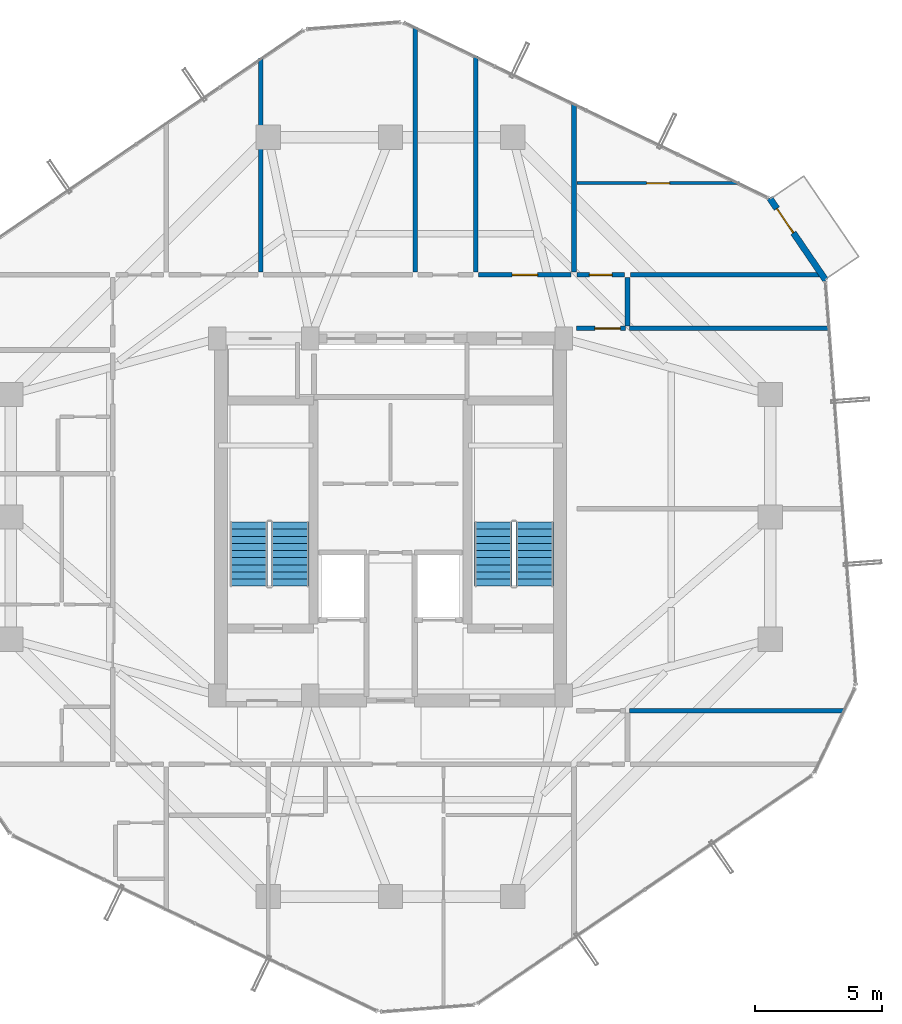
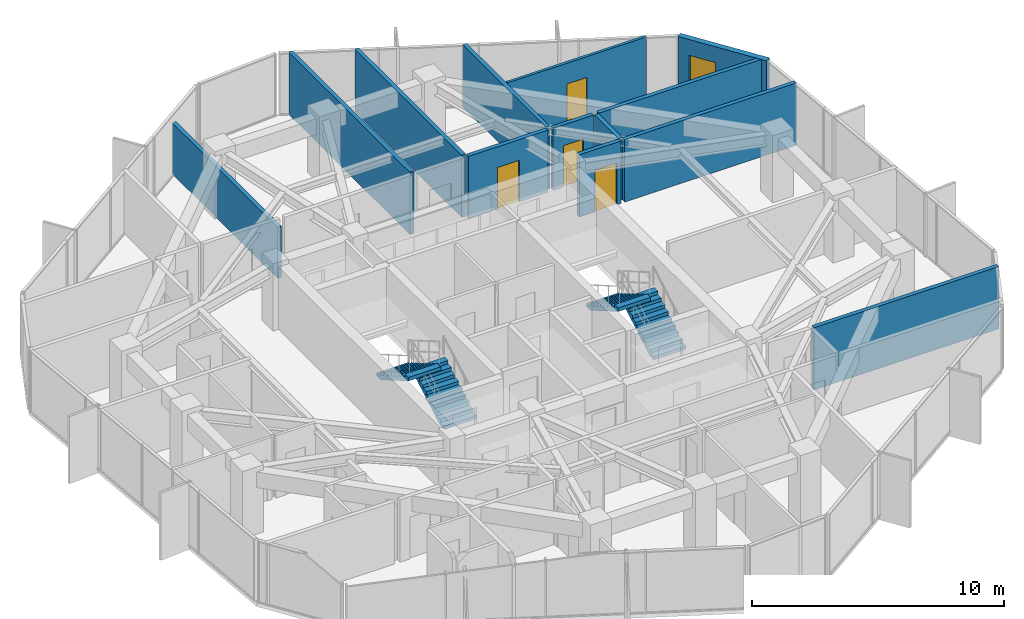
# One storey, part 32 of 34: 13 walls, 5 doors, 4 stair flights, 5 openings, 2 elements without a shape of their own.
"""IFC4 building model written with IfcOpenShell, lengths in metres."""

from ifc_helpers import new_model, si_unit, direction, frame, frame_2d, origin, place, context, subcontext, project, spatial, polyline, rectangle, outline, extrude, source, transform, mapped, material, layer, layer_set, type_object, element, fill, aggregate, save


model = new_model("IFC4")

# Units and contexts
model_context = context("Model", 3, precision=1e-05, world=origin(), true_north=direction((0.0, 1.0)))
body_context = subcontext(model_context, "Body", "Model", "MODEL_VIEW")
ifc_project = project(units=[si_unit("LENGTHUNIT", "METRE"), si_unit("AREAUNIT", "SQUARE_METRE"), si_unit("VOLUMEUNIT", "CUBIC_METRE"), si_unit("PLANEANGLEUNIT", "RADIAN"), si_unit("MASSUNIT", "GRAM", prefix="KILO")], contexts=[model_context])

# Site, building, storey
site_placement = place(None, origin())
site = spatial("IfcSite", under=ifc_project, at=site_placement, CompositionType="ELEMENT")
building_placement = place(site_placement, origin())
building = spatial("IfcBuilding", under=site, at=building_placement, Name="Veraguas Prism Commons", CompositionType="ELEMENT")
storey_placement = place(building_placement, frame((0.0, 0.0, 191.85009765625)))
storey = spatial("IfcBuildingStorey", under=building, at=storey_placement, Name="L54", CompositionType="ELEMENT", Elevation=191.85009765625)

# Walls
ifc_material_1 = material(Name="Autoclaved aerated masonry block 10 MPa", Category="masonry")
ifc_layer_1 = layer(ifc_material_1, 0.179931640625, Name="Corridor and Inter-Tenancy Partition 180", Category="masonry")
ifc_layer_set_1 = layer_set([ifc_layer_1], Name="Autoclaved aerated masonry block 10 MPa")
wall_type_1 = type_object("IfcWallType", Name="Corridor and Inter-Tenancy Partition 180", PredefinedType="PARTITIONING", material=ifc_layer_set_1)
wall_1_placement = place(storey_placement, frame((31.199951171875, 33.6201171875, 0.0), z_axis=(0.0, 0.0, 1.0), x_axis=(0.0, 1.0, 0.0)))
element("IfcWall", 1, at=wall_1_placement, inside=storey, type_object=wall_type_1, Name="WL-L54-PT014", PredefinedType="PARTITIONING", context=body_context, shape_type="SweptSolid", body=[
    extrude(rectangle(XDim=6.6025390625, YDim=0.179931640625, at=frame_2d((3.30126953125, 0.0))), origin(), (0.0, 0.0, 1.0), 3.014892578125),
])
wall_2_placement = place(storey_placement, frame((18.9130859375, 33.6201171875, 0.0), z_axis=(0.0, 0.0, 1.0), x_axis=(0.0, 1.0, 0.0)))
element("IfcWall", 2, at=wall_2_placement, inside=storey, type_object=wall_type_1, Name="WL-L54-PT017", PredefinedType="PARTITIONING", context=body_context, shape_type="SweptSolid", body=[
    extrude(rectangle(XDim=8.384521484375, YDim=0.179931640625, at=frame_2d((4.1923828125, 0.0))), origin(), (0.0, 0.0, 1.0), 2.468994140625),
])
wall_3_placement = place(storey_placement, frame((24.969970703125, 33.6201171875, 0.0), z_axis=(0.0, 0.0, 1.0), x_axis=(0.0, 1.0, 0.0)))
element("IfcWall", 3, at=wall_3_placement, inside=storey, type_object=wall_type_1, Name="WL-L54-PT018", PredefinedType="PARTITIONING", context=body_context, shape_type="SweptSolid", body=[
    extrude(rectangle(XDim=9.600830078125, YDim=0.179931640625, at=frame_2d((4.80029296875, 0.0))), origin(), (0.0, 0.0, 1.0), 3.014892578125),
])

# Wall, opening, door
wall_4_placement = place(storey_placement, frame((27.447021484375, 33.5, 0.0), z_axis=(0.0, 0.0, 1.0), x_axis=(1.0, 0.0, 0.0)))
wall_4 = element("IfcWall", 4, at=wall_4_placement, inside=storey, type_object=wall_type_1, Name="WL-L54-PT020", PredefinedType="PARTITIONING", context=body_context, shape_type="SweptSolid", body=[
    extrude(rectangle(XDim=3.64306640625, YDim=0.179931640625, at=frame_2d((1.821533203125, 0.0))), origin(), (0.0, 0.0, 1.0), 3.014892578125),
])
opening_1_placement = place(wall_4_placement, frame((1.321533203125, 0.0, 0.0)))
opening_1 = element("IfcOpeningElement", 5, at=opening_1_placement, cuts=wall_4, Name="Opening DR-13", PredefinedType="OPENING", context=body_context, shape_type="SweptSolid", body=[
    extrude(rectangle(XDim=1.0, YDim=2.010009765625, at=frame_2d((0.5, 1.0048828125))), frame((0.0, 0.099853515625, 0.0), z_axis=(0.0, -1.0, 0.0), x_axis=(1.0, 0.0, 0.0)), (0.0, 0.0, 1.0), 0.199951171875),
])
ifc_material_2 = material(Name="Steel fire-rated door assembly", Category="steel")
door_type_1 = type_object("IfcDoorType", Name="Core Accessible WC and Clinic Fire Door 1000x2010", OperationType="NOTDEFINED", PredefinedType="DOOR", material=ifc_material_2)
shared_shape_1 = source(origin(), body_context, "Body", "SweptSolid", [
    extrude(rectangle(XDim=1.0, YDim=2.010009765625, at=frame_2d((0.5, 1.0048828125))), frame((0.0, 0.02490234375, 0.0), z_axis=(0.0, -1.0, 0.0), x_axis=(1.0, 0.0, 0.0)), (0.0, 0.0, 1.0), 0.050048828125),
])
door_1_placement = place(opening_1_placement, origin())
door_1 = element("IfcDoor", 6, at=door_1_placement, inside=storey, type_object=door_type_1, Name="Co-op Store N Door", OperationType="SINGLE_SWING_LEFT", OverallHeight=2.010009765625, OverallWidth=1.0, PredefinedType="DOOR", context=body_context, shape_type="MappedRepresentation", body=[
    mapped(shared_shape_1, transform((0.0, 0.0, 0.0), scale=1.0)),
])
fill(opening_1, door_1)

# Walls
wall_5_placement = place(storey_placement, frame((27.3369140625, 33.6201171875, 0.0), z_axis=(0.0, 0.0, 1.0), x_axis=(0.0, 1.0, 0.0)))
element("IfcWall", 7, at=wall_5_placement, inside=storey, type_object=wall_type_1, Name="WL-L54-PT021", PredefinedType="PARTITIONING", context=body_context, shape_type="SweptSolid", body=[
    extrude(rectangle(XDim=8.461669921875, YDim=0.179931640625, at=frame_2d((4.23095703125, 0.0))), origin(), (0.0, 0.0, 1.0), 3.014892578125),
])
wall_6_placement = place(storey_placement, frame((33.300048828125, 31.5, 0.0), z_axis=(0.0, 0.0, 1.0), x_axis=(0.0, 1.0, 0.0)))
element("IfcWall", 8, at=wall_6_placement, inside=storey, type_object=wall_type_1, Name="WL-L54-PT038", PredefinedType="PARTITIONING", context=body_context, shape_type="SweptSolid", body=[
    extrude(rectangle(XDim=1.89990234375, YDim=0.179931640625, at=frame_2d((0.949951171875, 0.0))), origin(), (0.0, 0.0, 1.0), 3.014892578125),
])
wall_7_placement = place(storey_placement, frame((33.3798828125, 16.39990234375, 0.0), z_axis=(0.0, 0.0, 1.0), x_axis=(1.0, 0.0, 0.0)))
element("IfcWall", 9, at=wall_7_placement, inside=storey, type_object=wall_type_1, Name="WL-L54-PT040", PredefinedType="PARTITIONING", context=body_context, shape_type="SweptSolid", body=[
    extrude(rectangle(XDim=8.46240234375, YDim=0.179931640625, at=frame_2d((4.231201171875, 0.0))), origin(), (0.0, 0.0, 1.0), 3.014892578125),
])

# Wall, opening, door
wall_8_placement = place(storey_placement, frame((31.300048828125, 31.39990234375, 0.0), z_axis=(0.0, 0.0, 1.0), x_axis=(1.0, 0.0, 0.0)))
wall_8 = element("IfcWall", 10, at=wall_8_placement, inside=storey, type_object=wall_type_1, Name="WL-L54-PT041", PredefinedType="PARTITIONING", context=body_context, shape_type="SweptSolid", body=[
    extrude(rectangle(XDim=1.919921875, YDim=0.179931640625, at=frame_2d((0.9599609375, 0.0))), origin(), (0.0, 0.0, 1.0), 3.014892578125),
])
opening_2_placement = place(wall_8_placement, frame((0.719970703125, 0.0, 0.0)))
opening_2 = element("IfcOpeningElement", 11, at=opening_2_placement, cuts=wall_8, Name="Opening DR-13", PredefinedType="OPENING", context=body_context, shape_type="SweptSolid", body=[
    extrude(rectangle(XDim=1.0, YDim=2.010009765625, at=frame_2d((0.5, 1.0048828125))), frame((0.0, 0.099853515625, 0.0), z_axis=(0.0, -1.0, 0.0), x_axis=(1.0, 0.0, 0.0)), (0.0, 0.0, 1.0), 0.199951171875),
])
door_2_placement = place(opening_2_placement, origin())
door_2 = element("IfcDoor", 12, at=door_2_placement, inside=storey, type_object=door_type_1, Name="Study Salon Door L54", OperationType="SINGLE_SWING_RIGHT", OverallHeight=2.010009765625, OverallWidth=1.0, PredefinedType="DOOR", context=body_context, shape_type="MappedRepresentation", body=[
    mapped(shared_shape_1, transform((0.0, 0.0, 0.0), scale=1.0)),
])
fill(opening_2, door_2)

# Walls
wall_9_placement = place(storey_placement, frame((33.3798828125, 31.39990234375, 0.0), z_axis=(0.0, 0.0, 1.0), x_axis=(1.0, 0.0, 0.0)))
element("IfcWall", 13, at=wall_9_placement, inside=storey, type_object=wall_type_1, Name="WL-L54-PT042", PredefinedType="PARTITIONING", context=body_context, shape_type="SweptSolid", body=[
    extrude(rectangle(XDim=7.85400390625, YDim=0.179931640625, at=frame_2d((3.927001953125, 0.0))), origin(), (0.0, 0.0, 1.0), 3.014892578125),
])
wall_10_placement = place(storey_placement, frame((33.419921875, 33.5, 0.0), z_axis=(0.0, 0.0, 1.0), x_axis=(1.0, 0.0, 0.0)))
element("IfcWall", 14, at=wall_10_placement, inside=storey, type_object=wall_type_1, Name="WL-L54-PT050", PredefinedType="PARTITIONING", context=body_context, shape_type="SweptSolid", body=[
    extrude(rectangle(XDim=7.551025390625, YDim=0.179931640625, at=frame_2d((3.775390625, 0.0))), origin(), (0.0, 0.0, 1.0), 3.014892578125),
])

# Wall, opening, door
wall_11_placement = place(storey_placement, frame((31.320068359375, 33.5, 0.0), z_axis=(0.0, 0.0, 1.0), x_axis=(1.0, 0.0, 0.0)))
wall_11 = element("IfcWall", 15, at=wall_11_placement, inside=storey, type_object=wall_type_1, Name="WL-L54-PT051", PredefinedType="PARTITIONING", context=body_context, shape_type="SweptSolid", body=[
    extrude(rectangle(XDim=1.85986328125, YDim=0.179931640625, at=frame_2d((0.929931640625, 0.0))), origin(), (0.0, 0.0, 1.0), 3.014892578125),
])
opening_3_placement = place(wall_11_placement, frame((0.47998046875, 0.0, 0.0)))
opening_3 = element("IfcOpeningElement", 16, at=opening_3_placement, cuts=wall_11, Name="Opening DR-14", PredefinedType="OPENING", context=body_context, shape_type="SweptSolid", body=[
    extrude(rectangle(XDim=0.89990234375, YDim=2.010009765625, at=frame_2d((0.449951171875, 1.0048828125))), frame((0.0, 0.099853515625, 0.0), z_axis=(0.0, -1.0, 0.0), x_axis=(1.0, 0.0, 0.0)), (0.0, 0.0, 1.0), 0.199951171875),
])
door_type_2 = type_object("IfcDoorType", Name="Core Service Room Fire Door 900x2010", OperationType="NOTDEFINED", PredefinedType="DOOR", material=ifc_material_2)
shared_shape_2 = source(origin(), body_context, "Body", "SweptSolid", [
    extrude(rectangle(XDim=0.89990234375, YDim=2.010009765625, at=frame_2d((0.449951171875, 1.0048828125))), frame((0.0, 0.02490234375, 0.0), z_axis=(0.0, -1.0, 0.0), x_axis=(1.0, 0.0, 0.0)), (0.0, 0.0, 1.0), 0.050048828125),
])
door_3_placement = place(opening_3_placement, origin())
door_3 = element("IfcDoor", 17, at=door_3_placement, inside=storey, type_object=door_type_2, Name="Corner Study NE Door", OperationType="SINGLE_SWING_LEFT", OverallHeight=2.010009765625, OverallWidth=0.89990234375, PredefinedType="DOOR", context=body_context, shape_type="MappedRepresentation", body=[
    mapped(shared_shape_2, transform((0.0, 0.0, 0.0), scale=1.0)),
])
fill(opening_3, door_3)

ifc_material_3 = material(Name="Precast concrete C40/50", Category="concrete")
ifc_layer_2 = layer(ifc_material_3, 0.25, Name="External Loggia and Portal Wall 250", Category="concrete")
ifc_layer_set_2 = layer_set([ifc_layer_2], Name="Precast concrete C40/50")
wall_type_2 = type_object("IfcWallType", Name="External Loggia and Portal Wall 250", PredefinedType="SOLIDWALL", material=ifc_layer_set_2)
wall_12_placement = place(storey_placement, frame((41.082275390625, 33.28369140625, 0.0), z_axis=(0.0, 0.0, 1.0), x_axis=(-0.563549704733, 0.82608215711, 0.0)))
wall_12 = element("IfcWall", 18, at=wall_12_placement, inside=storey, type_object=wall_type_2, Name="Corner Loggia Wall L54-C1", PredefinedType="SOLIDWALL", context=body_context, shape_type="SweptSolid", body=[
    extrude(rectangle(XDim=3.9140625, YDim=0.25, at=frame_2d((1.95703125, 0.0))), origin(), (0.0, 0.0, 1.0), 3.014892578125),
])
opening_4_placement = place(wall_12_placement, frame((2.260009765625, 0.0, 0.0)))
opening_4 = element("IfcOpeningElement", 19, at=opening_4_placement, cuts=wall_12, Name="Opening DR-10", PredefinedType="OPENING", context=body_context, shape_type="SweptSolid", body=[
    extrude(rectangle(XDim=1.14990234375, YDim=2.25, at=frame_2d((0.574951171875, 1.125))), frame((0.0, 0.135009765625, 0.0), z_axis=(0.0, -1.0, 0.0), x_axis=(1.0, 0.0, 0.0)), (0.0, 0.0, 1.0), 0.27001953125),
])
ifc_material_4 = material(Name="Anodised aluminium EN AW-6063 T6", Category="aluminium")
door_type_3 = type_object("IfcDoorType", Name="Glazed Loggia and Terrace Door 1150x2250", OperationType="NOTDEFINED", PredefinedType="DOOR", material=ifc_material_4)
shared_shape_3 = source(origin(), body_context, "Body", "SweptSolid", [
    extrude(rectangle(XDim=1.14990234375, YDim=2.25, at=frame_2d((0.574951171875, 1.125))), frame((0.0, 0.02490234375, 0.0), z_axis=(0.0, -1.0, 0.0), x_axis=(1.0, 0.0, 0.0)), (0.0, 0.0, 1.0), 0.050048828125),
])
door_4_placement = place(opening_4_placement, frame((1.14990234375, 0.0, 0.0), z_axis=(0.0, 0.0, 1.0), x_axis=(-1.0, 0.0, 0.0)))
door_4 = element("IfcDoor", 20, at=door_4_placement, inside=storey, type_object=door_type_3, Name="Recessed Loggia Door L54-C1", OperationType="SINGLE_SWING_RIGHT", OverallHeight=2.25, OverallWidth=1.14990234375, PredefinedType="DOOR", context=body_context, shape_type="MappedRepresentation", body=[
    mapped(shared_shape_3, transform((0.0, 0.0, 0.0), scale=1.0)),
])
fill(opening_4, door_4)

ifc_material_5 = material(Name="Lightweight acoustic gypsum board")
ifc_layer_3 = layer(ifc_material_5, 0.125, Name="Internal Apartment Room Partition 125")
ifc_layer_set_3 = layer_set([ifc_layer_3], Name="Lightweight acoustic gypsum board")
wall_type_3 = type_object("IfcWallType", Name="Internal Apartment Room Partition 125", PredefinedType="PARTITIONING", material=ifc_layer_set_3)
wall_13_placement = place(storey_placement, frame((31.320068359375, 37.10009765625, 0.0), z_axis=(0.0, 0.0, 1.0), x_axis=(1.0, 0.0, 0.0)))
wall_13 = element("IfcWall", 21, at=wall_13_placement, inside=storey, type_object=wall_type_3, Name="WL-L54-PT052", PredefinedType="PARTITIONING", context=body_context, shape_type="SweptSolid", body=[
    extrude(rectangle(XDim=6.3681640625, YDim=0.125, at=frame_2d((3.18408203125, 0.0))), origin(), (0.0, 0.0, 1.0), 3.014892578125),
])
opening_5_placement = place(wall_13_placement, frame((2.734130859375, 0.0, 0.0)))
opening_5 = element("IfcOpeningElement", 22, at=opening_5_placement, cuts=wall_13, Name="Opening DR-02", PredefinedType="OPENING", context=body_context, shape_type="SweptSolid", body=[
    extrude(rectangle(XDim=0.89990234375, YDim=2.010009765625, at=frame_2d((0.449951171875, 1.0048828125))), frame((0.0, 0.072509765625, 0.0), z_axis=(0.0, -1.0, 0.0), x_axis=(1.0, 0.0, 0.0)), (0.0, 0.0, 1.0), 0.14501953125),
])
ifc_material_6 = material(Name="Timber solid core hardwood", Category="wood")
door_type_4 = type_object("IfcDoorType", Name="Internal Habitable Room Door 900x2010", OperationType="NOTDEFINED", PredefinedType="DOOR", material=ifc_material_6)
door_5_placement = place(opening_5_placement, origin())
door_5 = element("IfcDoor", 23, at=door_5_placement, inside=storey, type_object=door_type_4, Name="Craft Room NE Door", OperationType="SINGLE_SWING_RIGHT", OverallHeight=2.010009765625, OverallWidth=0.89990234375, PredefinedType="DOOR", context=body_context, shape_type="MappedRepresentation", body=[
    mapped(shared_shape_2, transform((0.0, 0.0, 0.0), scale=1.0)),
])
fill(opening_5, door_5)

# Stair, stair flights
ifc_material_7 = material(Name="Precast concrete C45/55", Category="concrete")
stair_type = type_object("IfcStairType", Name="Dogleg Core Stair 1480W 20R 05", PredefinedType="HALF_TURN_STAIR", material=ifc_material_7)
stair_1_placement = place(storey_placement, origin())
stair_1 = element("IfcStair", 24, at=stair_1_placement, inside=storey, type_object=stair_type, Name="Protected Exit Stair ST-01 L54", PredefinedType="HALF_TURN_STAIR")
stair_flight_type = type_object("IfcStairFlightType", Name="Precast Stair Flight 1480W 10R 05", PredefinedType="STRAIGHT", material=ifc_material_7)
stair_flight_1_placement = place(storey_placement, frame((20.06005859375, 21.280029296875, 0.0), z_axis=(0.0, 0.0, 1.0), x_axis=(0.0, 1.0, 0.0)))
stair_flight_1 = element("IfcStairFlight", 25, at=stair_flight_1_placement, type_object=stair_flight_type, Name="ST-05 Flight 1", NumberOfRisers=10, NumberOfTreads=9, PredefinedType="STRAIGHT", RiserHeight=0.1625, TreadLength=0.28, context=body_context, shape_type="SweptSolid", body=[
    extrude(outline(polyline([(0.0, 0.0), (0.0, 0.16259765625), (0.280029296875, 0.16259765625), (0.280029296875, 0.324951171875), (0.56005859375, 0.324951171875), (0.56005859375, 0.487548828125), (0.840087890625, 0.487548828125), (0.840087890625, 0.64990234375), (1.1201171875, 0.64990234375), (1.1201171875, 0.8125), (1.39990234375, 0.8125), (1.39990234375, 0.97509765625), (1.679931640625, 0.97509765625), (1.679931640625, 1.137451171875), (1.9599609375, 1.137451171875), (1.9599609375, 1.300048828125), (2.239990234375, 1.300048828125), (2.239990234375, 1.46240234375), (2.52001953125, 1.46240234375), (2.52001953125, 1.625), (2.52001953125, 1.2890625), (0.298583984375, 0.0), (0.0, 0.0)])), frame((0.0, 0.739990234375, 0.0), z_axis=(0.0, -1.0, 0.0), x_axis=(1.0, 0.0, 0.0)), (0.0, 0.0, 1.0), 1.47998046875),
])
stair_flight_2_placement = place(storey_placement, frame((18.429931640625, 23.800048828125, 1.625), z_axis=(0.0, 0.0, 1.0), x_axis=(0.0, -1.0, 0.0)))
stair_flight_2 = element("IfcStairFlight", 26, at=stair_flight_2_placement, type_object=stair_flight_type, Name="ST-05 Flight 2", NumberOfRisers=10, NumberOfTreads=9, PredefinedType="STRAIGHT", RiserHeight=0.1625, TreadLength=0.28, context=body_context, shape_type="SweptSolid", body=[
    extrude(outline(polyline([(0.0, 0.0), (0.0, 0.16259765625), (0.280029296875, 0.16259765625), (0.280029296875, 0.324951171875), (0.56005859375, 0.324951171875), (0.56005859375, 0.487548828125), (0.840087890625, 0.487548828125), (0.840087890625, 0.64990234375), (1.1201171875, 0.64990234375), (1.1201171875, 0.8125), (1.39990234375, 0.8125), (1.39990234375, 0.97509765625), (1.679931640625, 0.97509765625), (1.679931640625, 1.137451171875), (1.9599609375, 1.137451171875), (1.9599609375, 1.300048828125), (2.239990234375, 1.300048828125), (2.239990234375, 1.46240234375), (2.52001953125, 1.46240234375), (2.52001953125, 1.625), (2.52001953125, 1.2890625), (0.298583984375, 0.0), (0.0, 0.0)])), frame((0.0, 0.739990234375, 0.0), z_axis=(0.0, -1.0, 0.0), x_axis=(1.0, 0.0, 0.0)), (0.0, 0.0, 1.0), 1.47998046875),
])
aggregate(stair_1, [stair_flight_1, stair_flight_2])

stair_2_placement = place(storey_placement, origin())
stair_2 = element("IfcStair", 27, at=stair_2_placement, inside=storey, type_object=stair_type, Name="Protected Exit Stair ST-02 L54", PredefinedType="HALF_TURN_STAIR")
stair_flight_3_placement = place(storey_placement, frame((29.659912109375, 21.280029296875, 0.0), z_axis=(0.0, 0.0, 1.0), x_axis=(0.0, 1.0, 0.0)))
stair_flight_3 = element("IfcStairFlight", 28, at=stair_flight_3_placement, type_object=stair_flight_type, Name="ST-05 Flight 1", NumberOfRisers=10, NumberOfTreads=9, PredefinedType="STRAIGHT", RiserHeight=0.1625, TreadLength=0.28, context=body_context, shape_type="SweptSolid", body=[
    extrude(outline(polyline([(0.0, 0.0), (0.0, 0.16259765625), (0.280029296875, 0.16259765625), (0.280029296875, 0.324951171875), (0.56005859375, 0.324951171875), (0.56005859375, 0.487548828125), (0.840087890625, 0.487548828125), (0.840087890625, 0.64990234375), (1.1201171875, 0.64990234375), (1.1201171875, 0.8125), (1.39990234375, 0.8125), (1.39990234375, 0.97509765625), (1.679931640625, 0.97509765625), (1.679931640625, 1.137451171875), (1.9599609375, 1.137451171875), (1.9599609375, 1.300048828125), (2.239990234375, 1.300048828125), (2.239990234375, 1.46240234375), (2.52001953125, 1.46240234375), (2.52001953125, 1.625), (2.52001953125, 1.2890625), (0.298583984375, 0.0), (0.0, 0.0)])), frame((0.0, 0.739990234375, 0.0), z_axis=(0.0, -1.0, 0.0), x_axis=(1.0, 0.0, 0.0)), (0.0, 0.0, 1.0), 1.47998046875),
])
stair_flight_4_placement = place(storey_placement, frame((28.030029296875, 23.800048828125, 1.625), z_axis=(0.0, 0.0, 1.0), x_axis=(0.0, -1.0, 0.0)))
stair_flight_4 = element("IfcStairFlight", 29, at=stair_flight_4_placement, type_object=stair_flight_type, Name="ST-05 Flight 2", NumberOfRisers=10, NumberOfTreads=9, PredefinedType="STRAIGHT", RiserHeight=0.1625, TreadLength=0.28, context=body_context, shape_type="SweptSolid", body=[
    extrude(outline(polyline([(0.0, 0.0), (0.0, 0.16259765625), (0.280029296875, 0.16259765625), (0.280029296875, 0.324951171875), (0.56005859375, 0.324951171875), (0.56005859375, 0.487548828125), (0.840087890625, 0.487548828125), (0.840087890625, 0.64990234375), (1.1201171875, 0.64990234375), (1.1201171875, 0.8125), (1.39990234375, 0.8125), (1.39990234375, 0.97509765625), (1.679931640625, 0.97509765625), (1.679931640625, 1.137451171875), (1.9599609375, 1.137451171875), (1.9599609375, 1.300048828125), (2.239990234375, 1.300048828125), (2.239990234375, 1.46240234375), (2.52001953125, 1.46240234375), (2.52001953125, 1.625), (2.52001953125, 1.2890625), (0.298583984375, 0.0), (0.0, 0.0)])), frame((0.0, 0.739990234375, 0.0), z_axis=(0.0, -1.0, 0.0), x_axis=(1.0, 0.0, 0.0)), (0.0, 0.0, 1.0), 1.47998046875),
])
aggregate(stair_2, [stair_flight_3, stair_flight_4])

save(model, "model.ifc")
